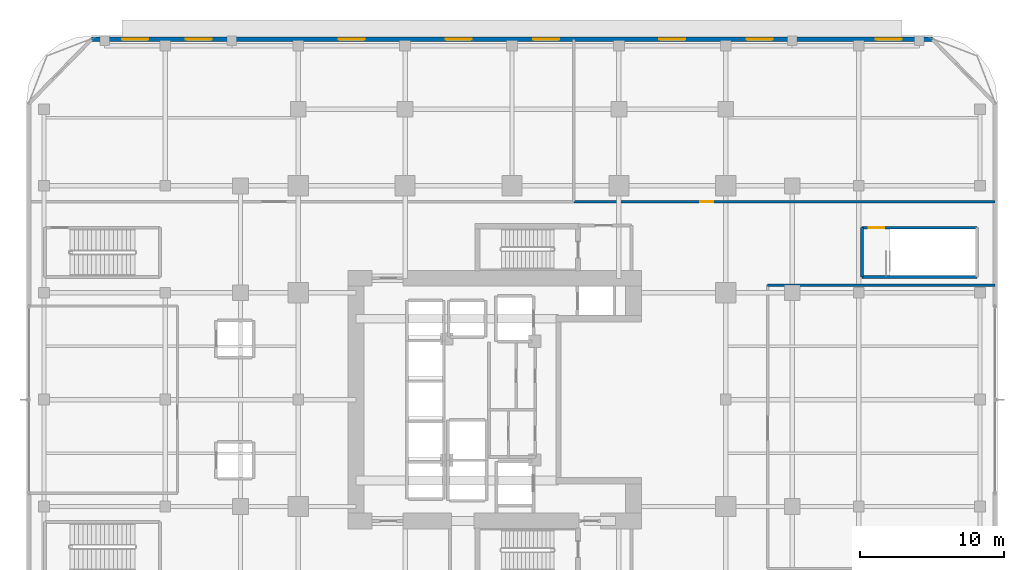
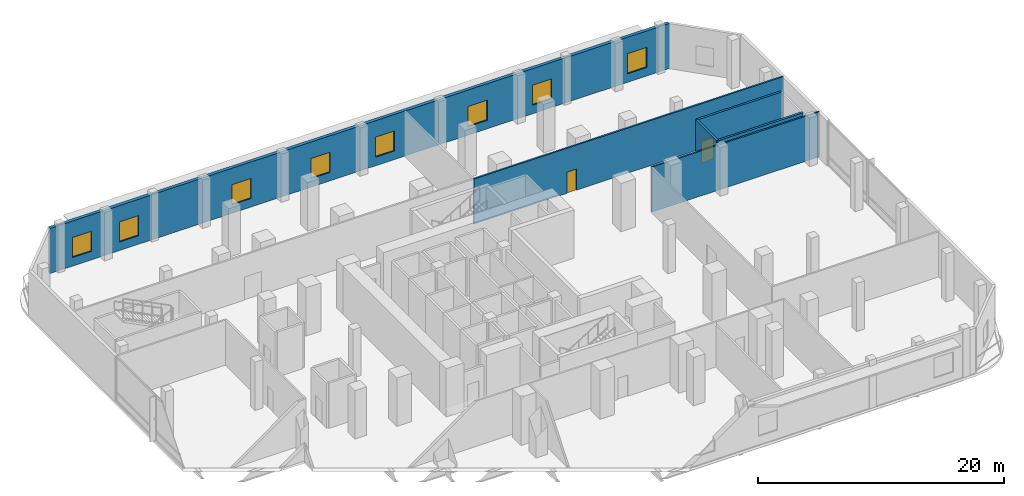
# One storey, part 11 of 19: 8 windows, 6 walls, 2 doors, 10 openings.
"""IFC4 building model written with IfcOpenShell, lengths in metres."""

from ifc_helpers import new_model, si_unit, direction, frame, frame_2d, origin, place, context, subcontext, project, spatial, rectangle, extrude, material, layer, layer_set, type_object, element, fill, save


model = new_model("IFC4")

# Units and contexts
model_context = context("Model", 3, precision=1e-05, world=origin(), true_north=direction((0.0, 1.0)))
body_context = subcontext(model_context, "Body", "Model", "MODEL_VIEW")
ifc_project = project(units=[si_unit("LENGTHUNIT", "METRE"), si_unit("AREAUNIT", "SQUARE_METRE"), si_unit("VOLUMEUNIT", "CUBIC_METRE"), si_unit("PLANEANGLEUNIT", "RADIAN"), si_unit("MASSUNIT", "GRAM", prefix="KILO")], contexts=[model_context])

# Site, building, storey
site_placement = place(None, origin())
site = spatial("IfcSite", under=ifc_project, at=site_placement, CompositionType="ELEMENT")
building_placement = place(site_placement, origin())
building = spatial("IfcBuilding", under=site, at=building_placement, Name="Khorvyn Point Tower", CompositionType="ELEMENT")
storey_placement = place(building_placement, frame((0.0, 0.0, 21.60009765625)))
storey = spatial("IfcBuildingStorey", under=building, at=storey_placement, Name="L06", CompositionType="ELEMENT", Elevation=21.60009765625)

# Walls
ifc_material_1 = material(Name="Concrete C40/50", Category="concrete")
ifc_layer_1 = layer(ifc_material_1, 0.199951171875)
ifc_layer_set_1 = layer_set([ifc_layer_1], Name="Concrete C40/50 Structural Hoistway and Stair Shaft Wall 200")
wall_type_1 = type_object("IfcWallType", Name="Concrete C40/50 Structural Hoistway and Stair Shaft Wall 200", PredefinedType="SHEAR", material=ifc_layer_set_1)
wall_1_placement = place(storey_placement, frame((24.219970703125, 8.47998046875, 0.0), z_axis=(0.0, 0.0, 1.0), x_axis=(0.0, 1.0, 0.0)))
element("IfcWall", 1, at=wall_1_placement, inside=storey, type_object=wall_type_1, Name="Wall", PredefinedType="SHEAR", context=body_context, shape_type="SweptSolid", body=[
    extrude(rectangle(XDim=3.419921875, YDim=0.199951171875, at=frame_2d((1.7099609375, 0.0))), origin(), (0.0, 0.0, 1.0), 4.47998046875),
])
wall_2_placement = place(storey_placement, frame((32.179931640625, 8.47998046875, 0.0), z_axis=(0.0, 0.0, 1.0), x_axis=(-1.0, 0.0, 0.0)))
element("IfcWall", 2, at=wall_2_placement, inside=storey, type_object=wall_type_1, Name="Wall", PredefinedType="SHEAR", context=body_context, shape_type="SweptSolid", body=[
    extrude(rectangle(XDim=7.9599609375, YDim=0.199951171875, at=frame_2d((3.97998046875, 0.0))), origin(), (0.0, 0.0, 1.0), 4.47998046875),
])

# Wall, opening, door
wall_3_placement = place(storey_placement, frame((24.219970703125, 11.89990234375, 0.0), z_axis=(0.0, 0.0, 1.0), x_axis=(1.0, 0.0, 0.0)))
wall_3 = element("IfcWall", 3, at=wall_3_placement, inside=storey, type_object=wall_type_1, Name="Wall", PredefinedType="SHEAR", context=body_context, shape_type="SweptSolid", body=[
    extrude(rectangle(XDim=7.9599609375, YDim=0.199951171875, at=frame_2d((3.97998046875, 0.0))), origin(), (0.0, 0.0, 1.0), 4.47998046875),
])
opening_1_placement = place(wall_3_placement, frame((0.4599609375, 0.0, 0.0)))
opening_1 = element("IfcOpeningElement", 4, at=opening_1_placement, cuts=wall_3, Name="Opening ID-FL90", PredefinedType="OPENING", context=body_context, shape_type="SweptSolid", body=[
    extrude(rectangle(XDim=1.10009765625, YDim=2.14990234375, at=frame_2d((0.550048828125, 1.074951171875))), frame((0.0, 0.10986328125, 0.0), z_axis=(0.0, -1.0, 0.0), x_axis=(1.0, 0.0, 0.0)), (0.0, 0.0, 1.0), 0.219970703125),
])
ifc_material_2 = material(Name="Galvanised powder-coated steel", Category="steel")
door_type_1 = type_object("IfcDoorType", Name="Fire-Rated Steel Lobby and Stair Door 1100x2150", OperationType="NOTDEFINED", PredefinedType="DOOR", material=ifc_material_2)
door_1_placement = place(opening_1_placement, origin())
door_1 = element("IfcDoor", 5, at=door_1_placement, inside=storey, type_object=door_type_1, Name="L06 ST-S3 Smokeproof Landing Door", OperationType="SINGLE_SWING_LEFT", OverallHeight=2.14990234375, OverallWidth=1.10009765625, PredefinedType="DOOR", context=body_context, shape_type="SweptSolid", body=[
    extrude(rectangle(XDim=1.10009765625, YDim=2.14990234375, at=frame_2d((0.550048828125, 1.074951171875))), frame((0.0, 0.02490234375, 0.0), z_axis=(0.0, -1.0, 0.0), x_axis=(1.0, 0.0, 0.0)), (0.0, 0.0, 1.0), 0.050048828125),
])
fill(opening_1, door_1)

ifc_material_3 = material(Name="Moisture-resistant gypsum and cement board", Category="gypsum")
ifc_layer_2 = layer(ifc_material_3, 0.14990234375)
ifc_layer_set_2 = layer_set([ifc_layer_2], Name="Moisture-Resistant Wet-Room Partition Wall 150")
wall_type_2 = type_object("IfcWallType", Name="Moisture-Resistant Wet-Room Partition Wall 150", PredefinedType="PARTITIONING", material=ifc_layer_set_2)
wall_4_placement = place(storey_placement, frame((4.280029296875, 13.699951171875, 0.0), z_axis=(0.0, 0.0, 1.0), x_axis=(1.0, 0.0, 0.0)))
wall_4 = element("IfcWall", 6, at=wall_4_placement, inside=storey, type_object=wall_type_2, Name="Wall", PredefinedType="PARTITIONING", context=body_context, shape_type="SweptSolid", body=[
    extrude(rectangle(XDim=29.139892578125, YDim=0.14990234375, at=frame_2d((14.56982421875, 0.0))), origin(), (0.0, 0.0, 1.0), 4.47998046875),
])
opening_2_placement = place(wall_4_placement, frame((8.750732421875, 0.0, 0.0)))
opening_2 = element("IfcOpeningElement", 7, at=opening_2_placement, cuts=wall_4, Name="Opening ID-RM90", PredefinedType="OPENING", context=body_context, shape_type="SweptSolid", body=[
    extrude(rectangle(XDim=0.89990234375, YDim=2.10009765625, at=frame_2d((0.449951171875, 1.050048828125))), frame((0.0, 0.0849609375, 0.0), z_axis=(0.0, -1.0, 0.0), x_axis=(1.0, 0.0, 0.0)), (0.0, 0.0, 1.0), 0.169921875),
])
ifc_material_4 = material(Name="Engineered oak veneer timber", Category="wood")
door_type_2 = type_object("IfcDoorType", Name="Flush Engineered Timber Room Door 900x2100", OperationType="NOTDEFINED", PredefinedType="DOOR", material=ifc_material_4)
door_2_placement = place(opening_2_placement, origin())
door_2 = element("IfcDoor", 8, at=door_2_placement, inside=storey, type_object=door_type_2, Name="Door", OperationType="SINGLE_SWING_LEFT", OverallHeight=2.10009765625, OverallWidth=0.89990234375, PredefinedType="DOOR", context=body_context, shape_type="SweptSolid", body=[
    extrude(rectangle(XDim=0.89990234375, YDim=2.10009765625, at=frame_2d((0.449951171875, 1.050048828125))), frame((0.0, 0.02490234375, 0.0), z_axis=(0.0, -1.0, 0.0), x_axis=(1.0, 0.0, 0.0)), (0.0, 0.0, 1.0), 0.050048828125),
])
fill(opening_2, door_2)

# Wall
wall_5_placement = place(storey_placement, frame((17.699951171875, 7.919921875, 0.0), z_axis=(0.0, 0.0, 1.0), x_axis=(1.0, 0.0, 0.0)))
element("IfcWall", 9, at=wall_5_placement, inside=storey, type_object=wall_type_2, Name="Wall", PredefinedType="PARTITIONING", context=body_context, shape_type="SweptSolid", body=[
    extrude(rectangle(XDim=15.719970703125, YDim=0.14990234375, at=frame_2d((7.85986328125, 0.0))), origin(), (0.0, 0.0, 1.0), 4.47998046875),
])

# Wall, openings, windows
ifc_material_5 = material(Name="Precast concrete C35/45", Category="concrete")
ifc_layer_3 = layer(ifc_material_5, 0.300048828125)
ifc_layer_set_3 = layer_set([ifc_layer_3], Name="Precast Concrete C35/45 Insulated Podium Facade Wall 300")
wall_type_3 = type_object("IfcWallType", Name="Precast Concrete C35/45 Insulated Podium Facade Wall 300", PredefinedType="SOLIDWALL", material=ifc_layer_set_3)
wall_6_placement = place(storey_placement, frame((-29.10009765625, 24.949951171875, 0.0), z_axis=(0.0, 0.0, 1.0), x_axis=(1.0, 0.0, 0.0)))
wall_6 = element("IfcWall", 10, at=wall_6_placement, inside=storey, type_object=wall_type_3, Name="L06 North Podium Facade Wall", PredefinedType="SOLIDWALL", context=body_context, shape_type="SweptSolid", body=[
    extrude(rectangle(XDim=58.2001953125, YDim=0.300048828125, at=frame_2d((29.10009765625, 0.0))), origin(), (0.0, 0.0, 1.0), 4.47998046875),
])
opening_3_placement = place(wall_6_placement, frame((2.113037109375, 0.0, 0.85009765625)))
opening_3 = element("IfcOpeningElement", 11, at=opening_3_placement, cuts=wall_6, Name="Opening WN-1820", PredefinedType="OPENING", context=body_context, shape_type="SweptSolid", body=[
    extrude(rectangle(XDim=1.800048828125, YDim=2.0, at=frame_2d((0.89990234375, 1.0))), frame((0.0, 0.159912109375, 0.0), z_axis=(0.0, -1.0, 0.0), x_axis=(1.0, 0.0, 0.0)), (0.0, 0.0, 1.0), 0.320068359375),
])
opening_4_placement = place(wall_6_placement, frame((6.52490234375, 0.0, 0.85009765625)))
opening_4 = element("IfcOpeningElement", 12, at=opening_4_placement, cuts=wall_6, Name="Opening WN-1820", PredefinedType="OPENING", context=body_context, shape_type="SweptSolid", body=[
    extrude(rectangle(XDim=1.800048828125, YDim=2.0, at=frame_2d((0.89990234375, 1.0))), frame((0.0, 0.159912109375, 0.0), z_axis=(0.0, -1.0, 0.0), x_axis=(1.0, 0.0, 0.0)), (0.0, 0.0, 1.0), 0.320068359375),
])
opening_5_placement = place(wall_6_placement, frame((17.10009765625, 0.0, 0.85009765625)))
opening_5 = element("IfcOpeningElement", 13, at=opening_5_placement, cuts=wall_6, Name="Opening WN-1820", PredefinedType="OPENING", context=body_context, shape_type="SweptSolid", body=[
    extrude(rectangle(XDim=1.800048828125, YDim=2.0, at=frame_2d((0.89990234375, 1.0))), frame((0.0, 0.159912109375, 0.0), z_axis=(0.0, -1.0, 0.0), x_axis=(1.0, 0.0, 0.0)), (0.0, 0.0, 1.0), 0.320068359375),
])
opening_6_placement = place(wall_6_placement, frame((24.511962890625, 0.0, 0.85009765625)))
opening_6 = element("IfcOpeningElement", 14, at=opening_6_placement, cuts=wall_6, Name="Opening WN-1820", PredefinedType="OPENING", context=body_context, shape_type="SweptSolid", body=[
    extrude(rectangle(XDim=1.800048828125, YDim=2.0, at=frame_2d((0.89990234375, 1.0))), frame((0.0, 0.159912109375, 0.0), z_axis=(0.0, -1.0, 0.0), x_axis=(1.0, 0.0, 0.0)), (0.0, 0.0, 1.0), 0.320068359375),
])
opening_7_placement = place(wall_6_placement, frame((30.56494140625, 0.0, 0.85009765625)))
opening_7 = element("IfcOpeningElement", 15, at=opening_7_placement, cuts=wall_6, Name="Opening WN-1820", PredefinedType="OPENING", context=body_context, shape_type="SweptSolid", body=[
    extrude(rectangle(XDim=1.800048828125, YDim=2.0, at=frame_2d((0.89990234375, 1.0))), frame((0.0, 0.159912109375, 0.0), z_axis=(0.0, -1.0, 0.0), x_axis=(1.0, 0.0, 0.0)), (0.0, 0.0, 1.0), 0.320068359375),
])
opening_8_placement = place(wall_6_placement, frame((39.300048828125, 0.0, 0.85009765625)))
opening_8 = element("IfcOpeningElement", 16, at=opening_8_placement, cuts=wall_6, Name="Opening WN-1820", PredefinedType="OPENING", context=body_context, shape_type="SweptSolid", body=[
    extrude(rectangle(XDim=1.800048828125, YDim=2.0, at=frame_2d((0.89990234375, 1.0))), frame((0.0, 0.159912109375, 0.0), z_axis=(0.0, -1.0, 0.0), x_axis=(1.0, 0.0, 0.0)), (0.0, 0.0, 1.0), 0.320068359375),
])
opening_9_placement = place(wall_6_placement, frame((45.3369140625, 0.0, 0.85009765625)))
opening_9 = element("IfcOpeningElement", 17, at=opening_9_placement, cuts=wall_6, Name="Opening WN-1820", PredefinedType="OPENING", context=body_context, shape_type="SweptSolid", body=[
    extrude(rectangle(XDim=1.800048828125, YDim=2.0, at=frame_2d((0.89990234375, 1.0))), frame((0.0, 0.159912109375, 0.0), z_axis=(0.0, -1.0, 0.0), x_axis=(1.0, 0.0, 0.0)), (0.0, 0.0, 1.0), 0.320068359375),
])
opening_10_placement = place(wall_6_placement, frame((54.287109375, 0.0, 0.85009765625)))
opening_10 = element("IfcOpeningElement", 18, at=opening_10_placement, cuts=wall_6, Name="Opening WN-1820", PredefinedType="OPENING", context=body_context, shape_type="SweptSolid", body=[
    extrude(rectangle(XDim=1.800048828125, YDim=2.0, at=frame_2d((0.89990234375, 1.0))), frame((0.0, 0.159912109375, 0.0), z_axis=(0.0, -1.0, 0.0), x_axis=(1.0, 0.0, 0.0)), (0.0, 0.0, 1.0), 0.320068359375),
])
ifc_material_6 = material(Name="Anodised aluminium 6063-T6 and laminated Low-E glass", Category="aluminium")
window_type = type_object("IfcWindowType", Name="Anodised Aluminium Podium Office Operable Window 1800x2000", PartitioningType="DOUBLE_PANEL_VERTICAL", PredefinedType="WINDOW", material=ifc_material_6)
window_1_placement = place(opening_3_placement, origin())
window_1 = element("IfcWindow", 19, at=window_1_placement, inside=storey, type_object=window_type, Name="L06 North Classroom Daylight Window N1", OverallHeight=2.0, OverallWidth=1.800048828125, PartitioningType="SINGLE_PANEL", PredefinedType="WINDOW", context=body_context, shape_type="SweptSolid", body=[
    extrude(rectangle(XDim=1.800048828125, YDim=2.0, at=frame_2d((0.89990234375, 1.0))), frame((0.0, 0.030029296875, 0.0), z_axis=(0.0, -1.0, 0.0), x_axis=(1.0, 0.0, 0.0)), (0.0, 0.0, 1.0), 0.06005859375),
])
fill(opening_3, window_1)
window_2_placement = place(opening_4_placement, origin())
window_2 = element("IfcWindow", 20, at=window_2_placement, inside=storey, type_object=window_type, Name="L06 North Classroom Daylight Window N2", OverallHeight=2.0, OverallWidth=1.800048828125, PartitioningType="SINGLE_PANEL", PredefinedType="WINDOW", context=body_context, shape_type="SweptSolid", body=[
    extrude(rectangle(XDim=1.800048828125, YDim=2.0, at=frame_2d((0.89990234375, 1.0))), frame((0.0, 0.030029296875, 0.0), z_axis=(0.0, -1.0, 0.0), x_axis=(1.0, 0.0, 0.0)), (0.0, 0.0, 1.0), 0.06005859375),
])
fill(opening_4, window_2)
window_3_placement = place(opening_5_placement, origin())
window_3 = element("IfcWindow", 21, at=window_3_placement, inside=storey, type_object=window_type, Name="L06 North Classroom Daylight Window N3", OverallHeight=2.0, OverallWidth=1.800048828125, PartitioningType="SINGLE_PANEL", PredefinedType="WINDOW", context=body_context, shape_type="SweptSolid", body=[
    extrude(rectangle(XDim=1.800048828125, YDim=2.0, at=frame_2d((0.89990234375, 1.0))), frame((0.0, 0.030029296875, 0.0), z_axis=(0.0, -1.0, 0.0), x_axis=(1.0, 0.0, 0.0)), (0.0, 0.0, 1.0), 0.06005859375),
])
fill(opening_5, window_3)
window_4_placement = place(opening_6_placement, origin())
window_4 = element("IfcWindow", 22, at=window_4_placement, inside=storey, type_object=window_type, Name="L06 North Classroom Daylight Window N4", OverallHeight=2.0, OverallWidth=1.800048828125, PartitioningType="SINGLE_PANEL", PredefinedType="WINDOW", context=body_context, shape_type="SweptSolid", body=[
    extrude(rectangle(XDim=1.800048828125, YDim=2.0, at=frame_2d((0.89990234375, 1.0))), frame((0.0, 0.030029296875, 0.0), z_axis=(0.0, -1.0, 0.0), x_axis=(1.0, 0.0, 0.0)), (0.0, 0.0, 1.0), 0.06005859375),
])
fill(opening_6, window_4)
window_5_placement = place(opening_7_placement, origin())
window_5 = element("IfcWindow", 23, at=window_5_placement, inside=storey, type_object=window_type, Name="L06 North Classroom Daylight Window N5", OverallHeight=2.0, OverallWidth=1.800048828125, PartitioningType="SINGLE_PANEL", PredefinedType="WINDOW", context=body_context, shape_type="SweptSolid", body=[
    extrude(rectangle(XDim=1.800048828125, YDim=2.0, at=frame_2d((0.89990234375, 1.0))), frame((0.0, 0.030029296875, 0.0), z_axis=(0.0, -1.0, 0.0), x_axis=(1.0, 0.0, 0.0)), (0.0, 0.0, 1.0), 0.06005859375),
])
fill(opening_7, window_5)
window_6_placement = place(opening_8_placement, origin())
window_6 = element("IfcWindow", 24, at=window_6_placement, inside=storey, type_object=window_type, Name="L06 North Classroom Daylight Window N6", OverallHeight=2.0, OverallWidth=1.800048828125, PartitioningType="SINGLE_PANEL", PredefinedType="WINDOW", context=body_context, shape_type="SweptSolid", body=[
    extrude(rectangle(XDim=1.800048828125, YDim=2.0, at=frame_2d((0.89990234375, 1.0))), frame((0.0, 0.030029296875, 0.0), z_axis=(0.0, -1.0, 0.0), x_axis=(1.0, 0.0, 0.0)), (0.0, 0.0, 1.0), 0.06005859375),
])
fill(opening_8, window_6)
window_7_placement = place(opening_9_placement, origin())
window_7 = element("IfcWindow", 25, at=window_7_placement, inside=storey, type_object=window_type, Name="L06 North Classroom Daylight Window N7", OverallHeight=2.0, OverallWidth=1.800048828125, PartitioningType="SINGLE_PANEL", PredefinedType="WINDOW", context=body_context, shape_type="SweptSolid", body=[
    extrude(rectangle(XDim=1.800048828125, YDim=2.0, at=frame_2d((0.89990234375, 1.0))), frame((0.0, 0.030029296875, 0.0), z_axis=(0.0, -1.0, 0.0), x_axis=(1.0, 0.0, 0.0)), (0.0, 0.0, 1.0), 0.06005859375),
])
fill(opening_9, window_7)
window_8_placement = place(opening_10_placement, origin())
window_8 = element("IfcWindow", 26, at=window_8_placement, inside=storey, type_object=window_type, Name="L06 North Classroom Daylight Window N8", OverallHeight=2.0, OverallWidth=1.800048828125, PartitioningType="SINGLE_PANEL", PredefinedType="WINDOW", context=body_context, shape_type="SweptSolid", body=[
    extrude(rectangle(XDim=1.800048828125, YDim=2.0, at=frame_2d((0.89990234375, 1.0))), frame((0.0, 0.030029296875, 0.0), z_axis=(0.0, -1.0, 0.0), x_axis=(1.0, 0.0, 0.0)), (0.0, 0.0, 1.0), 0.06005859375),
])
fill(opening_10, window_8)

save(model, "model.ifc")
